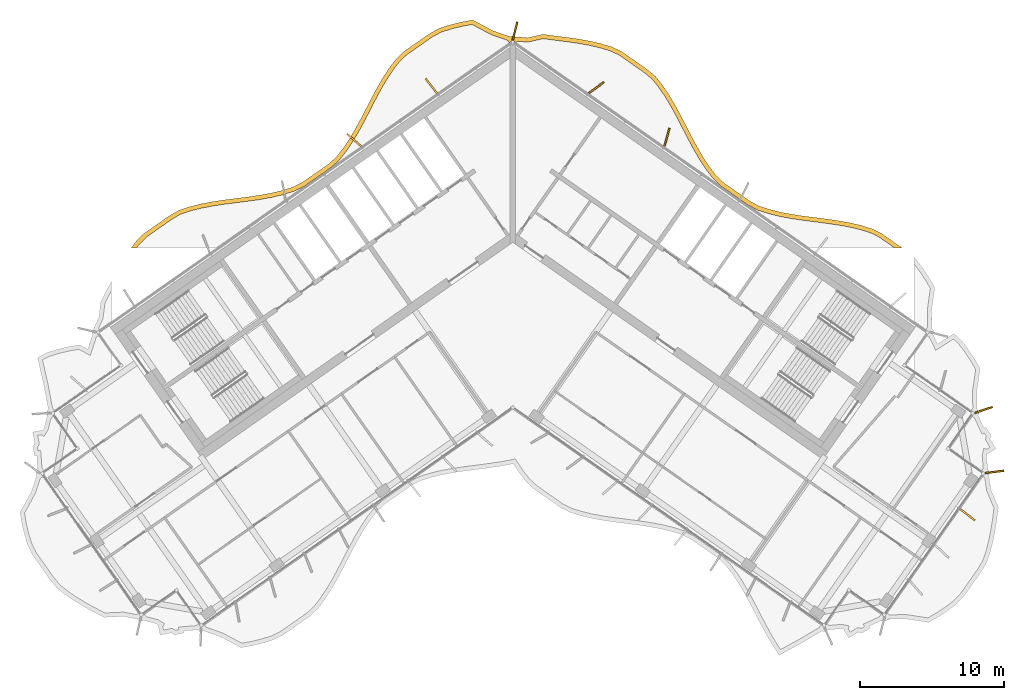
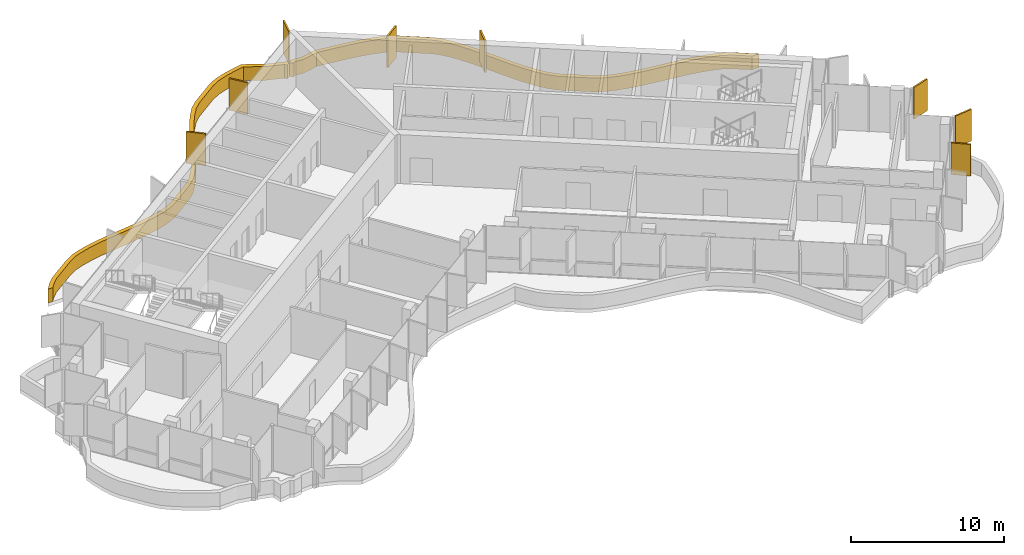
# One storey, part 20 of 20: 9 shading devices.
"""IFC4 building model written with IfcOpenShell, lengths in metres."""

from ifc_helpers import new_model, si_unit, direction, frame, origin, origin_2d, place, context, subcontext, project, spatial, polyline, rectangle, outline, extrude, material, layer, layer_set, type_object, element, save


model = new_model("IFC4")

# Units and contexts
model_context = context("Model", 3, precision=1e-05, world=origin(), true_north=direction((0.0, 1.0)))
body_context = subcontext(model_context, "Body", "Model", "MODEL_VIEW")
ifc_project = project(units=[si_unit("LENGTHUNIT", "METRE"), si_unit("AREAUNIT", "SQUARE_METRE"), si_unit("VOLUMEUNIT", "CUBIC_METRE"), si_unit("PLANEANGLEUNIT", "RADIAN"), si_unit("MASSUNIT", "GRAM", prefix="KILO")], contexts=[model_context])

# Site, building, storey
site_placement = place(None, origin())
site = spatial("IfcSite", under=ifc_project, at=site_placement, CompositionType="ELEMENT")
building_placement = place(site_placement, origin())
building = spatial("IfcBuilding", under=site, at=building_placement, Name="Tel Ilan Convention Tower", CompositionType="ELEMENT")
storey_placement = place(building_placement, frame((0.0, 0.0, 237.10009765625)))
storey = spatial("IfcBuildingStorey", under=building, at=storey_placement, Name="L55", CompositionType="ELEMENT", Elevation=237.10009765625)

# Shading devices
ifc_material_1 = material(Name="Aluminium, bronze anodised", Category="aluminium")
ifc_layer_1 = layer(ifc_material_1, 0.1201171875)
ifc_layer_set_1 = layer_set([ifc_layer_1], Name="FIN BRONZE 1300x120")
shading_device_type_1 = type_object("IfcShadingDeviceType", Name="FIN BRONZE 1300x120", PredefinedType="USERDEFINED", material=ifc_layer_set_1)
for number, where, z_axis, x_axis, name in (
    (1, (10.716064453125, 6.086669921875, 1.099853515625), (0.0, 0.0, 1.0), (0.268172612768, 0.963370878614, 0.0), "FIN"),
    (2, (5.80517578125, 9.525390625, 1.099853515625), (0.0, 0.0, 1.0), (0.813552070258, 0.581492071294, 0.0), "FIN"),
    (3, (0.156005859375, 13.463134765625, 1.099853515625), (0.0, 0.0, 1.0), (0.240039791311, 0.970763049661, 0.0), "FIN"),
    (4, (-5.664794921875, 9.647216796875, 1.099853515625), (0.0, 0.0, 1.0), (-0.612600545196, 0.790392669516, 0.0), "FIN"),
    (5, (-11.028076171875, 5.88330078125, 1.099853515625), (0.0, 0.0, 1.0), (-0.753435896329, 0.657521368568, 0.0), "FIN"),
    (6, (31.60693359375, -20.155517578125, 1.099853515625), (0.0, 0.0, 1.0), (0.790392669516, -0.612600545196, 0.0), "FIN"),
    (7, (33.48779296875, -17.175537109375, 1.099853515625), (0.0, 0.0, 1.0), (0.992066016082, 0.125718016748, 0.0), "FIN"),
    (8, (32.72900390625, -12.87353515625, 1.099853515625), (0.0, 0.0, 1.0), (0.949242643575, 0.314544756146, 0.0), "FIN"),
):
    element("IfcShadingDevice", number, at=place(storey_placement, frame(where, z_axis=z_axis, x_axis=x_axis)), inside=storey, type_object=shading_device_type_1, Name=name, ObjectType="FIN", PredefinedType="USERDEFINED", context=body_context, shape_type="SweptSolid", body=[
        extrude(rectangle(XDim=1.300048828125, YDim=0.1201171875, at=origin_2d()), origin(), (0.0, 0.0, 1.0), 2.52001953125),
    ])
ifc_material_2 = material(Name="Aluminium, bronze anodised", Category="aluminium")
ifc_layer_2 = layer(ifc_material_2, 0.300048828125)
ifc_layer_set_2 = layer_set([ifc_layer_2], Name="LOUVRE BAND 300x1100")
shading_device_type_2 = type_object("IfcShadingDeviceType", Name="LOUVRE BAND 300x1100", PredefinedType="USERDEFINED", material=ifc_layer_set_2)
shading_device_placement = place(storey_placement, origin())
element("IfcShadingDevice", 9, at=shading_device_placement, inside=storey, type_object=shading_device_type_2, Name="LOUVRE BAND 42.02", ObjectType="LOUVRE", PredefinedType="USERDEFINED", context=body_context, shape_type="SweptSolid", body=[
    extrude(outline(polyline([(-26.1787109375, -1.1572265625), (-26.535888671875, -1.631591796875), (-26.160400390625, -1.631591796875), (-25.951416015625, -1.35400390625), (-25.457275390625, -0.856689453125), (-23.680908203125, 0.38720703125), (-23.075439453125, 0.7314453125), (-22.38525390625, 0.962158203125), (-21.640625, 1.14990234375), (-20.86181640625, 1.298828125), (-20.0576171875, 1.420166015625), (-18.409423828125, 1.63232421875), (-17.585205078125, 1.750732421875), (-16.773193359375, 1.89599609375), (-15.982666015625, 2.081298828125), (-15.212646484375, 2.320556640625), (-14.499267578125, 2.665771484375), (-12.656005859375, 3.956298828125), (-12.066162109375, 4.474609375), (-11.566650390625, 5.110107421875), (-11.115234375, 5.78173828125), (-10.696044921875, 6.4892578125), (-10.29931640625, 7.220458984375), (-9.535400390625, 8.69873046875), (-9.148681640625, 9.41796875), (-8.746337890625, 10.106201171875), (-8.320556640625, 10.751220703125), (-7.871337890625, 11.33544921875), (-7.3623046875, 11.813720703125), (-5.585693359375, 13.0576171875), (-4.96826171875, 13.382568359375), (-4.27001953125, 13.607666015625), (-3.520751953125, 13.78955078125), (-2.834228515625, 13.914794921875), (-1.477294921875, 13.19677734375), (-0.362060546875, 12.81201171875), (-0.24609375, 12.646728515625), (0.0, 12.818115234375), (0.24609375, 12.646728515625), (0.318603515625, 12.75), (1.040771484375, 12.687744140625), (2.10400390625, 12.9296875), (3.699462890625, 12.72509765625), (4.510009765625, 12.60986328125), (5.2978515625, 12.47119140625), (6.054443359375, 12.297119140625), (6.765625, 12.080078125), (7.40185546875, 11.785888671875), (9.17822265625, 10.5419921875), (9.708740234375, 10.0908203125), (10.16162109375, 9.521240234375), (10.5927734375, 8.885498046875), (10.9990234375, 8.204833984375), (11.38818359375, 7.49072265625), (12.151123046875, 6.014404296875), (12.54443359375, 5.2802734375), (12.958740234375, 4.567138671875), (13.403076171875, 3.8876953125), (13.891357421875, 3.245849609375), (14.459716796875, 2.693359375), (16.302978515625, 1.40283203125), (16.991455078125, 1.02587890625), (17.759521484375, 0.773681640625), (18.544921875, 0.579345703125), (19.353271484375, 0.42724609375), (20.176025390625, 0.3046875), (21.826416015625, 0.092529296875), (22.634765625, -0.025146484375), (23.4189453125, -0.167724609375), (24.1708984375, -0.34716796875), (24.873291015625, -0.569580078125), (25.496826171875, -0.88427734375), (26.56396484375, -1.631591796875), (27.087158203125, -1.631591796875), (25.6513671875, -0.626220703125), (24.987060546875, -0.290771484375), (24.2509765625, -0.057861328125), (23.480712890625, 0.1259765625), (22.68310546875, 0.27099609375), (21.8671875, 0.3896484375), (20.21728515625, 0.601806640625), (19.4033203125, 0.72314453125), (18.60888671875, 0.87255859375), (17.842529296875, 1.062255859375), (17.111328125, 1.30224609375), (16.46142578125, 1.657958984375), (15.2548828125, 2.5029296875), (14.6513671875, 2.92529296875), (14.116455078125, 3.4453125), (13.648193359375, 4.060791015625), (13.214111328125, 4.724609375), (12.806396484375, 5.426513671875), (12.416748046875, 6.154052734375), (11.653076171875, 7.631591796875), (11.259521484375, 8.353515625), (10.845947265625, 9.046875), (10.403564453125, 9.69921875), (9.925537109375, 10.300537109375), (9.36181640625, 10.77978515625), (7.552001953125, 12.047119140625), (6.872802734375, 12.361083984375), (6.132080078125, 12.587158203125), (5.357666015625, 12.765380859375), (4.55712890625, 12.90625), (3.739501953125, 13.0224609375), (2.08935546875, 13.234130859375), (1.02001953125, 12.99072265625), (0.168701171875, 13.059326171875), (0.11474609375, 13.09521484375), (0.0, 13.1181640625), (-0.11474609375, 13.09521484375), (-0.168701171875, 13.059326171875), (-1.357666015625, 13.472900390625), (-2.785888671875, 14.228515625), (-3.5830078125, 14.083251953125), (-4.3515625, 13.896484375), (-5.0849609375, 13.66015625), (-5.7421875, 13.314453125), (-7.552001953125, 12.047119140625), (-8.09423828125, 11.53759765625), (-8.56494140625, 10.925537109375), (-9.001220703125, 10.264404296875), (-9.410400390625, 9.564697265625), (-9.801025390625, 8.838623046875), (-10.564453125, 7.36083984375), (-10.95703125, 6.63720703125), (-11.369140625, 5.94189453125), (-11.809326171875, 5.28662109375), (-12.284912109375, 4.681640625), (-12.841552734375, 4.192626953125), (-14.6513671875, 2.92529296875), (-15.3232421875, 2.6005859375), (-16.0615234375, 2.370849609375), (-16.833984375, 2.18994140625), (-17.6328125, 2.046875), (-18.44970703125, 1.9296875), (-20.099365234375, 1.71728515625), (-20.91259765625, 1.594482421875), (-21.705322265625, 1.44287109375), (-22.4697265625, 1.250244140625), (-23.1982421875, 1.0068359375), (-23.84130859375, 0.64111328125), (-25.6513671875, -0.626220703125), (-26.1787109375, -1.1572265625)])), origin(), (0.0, 0.0, 1.0), 1.099853515625),
])

save(model, "model.ifc")
